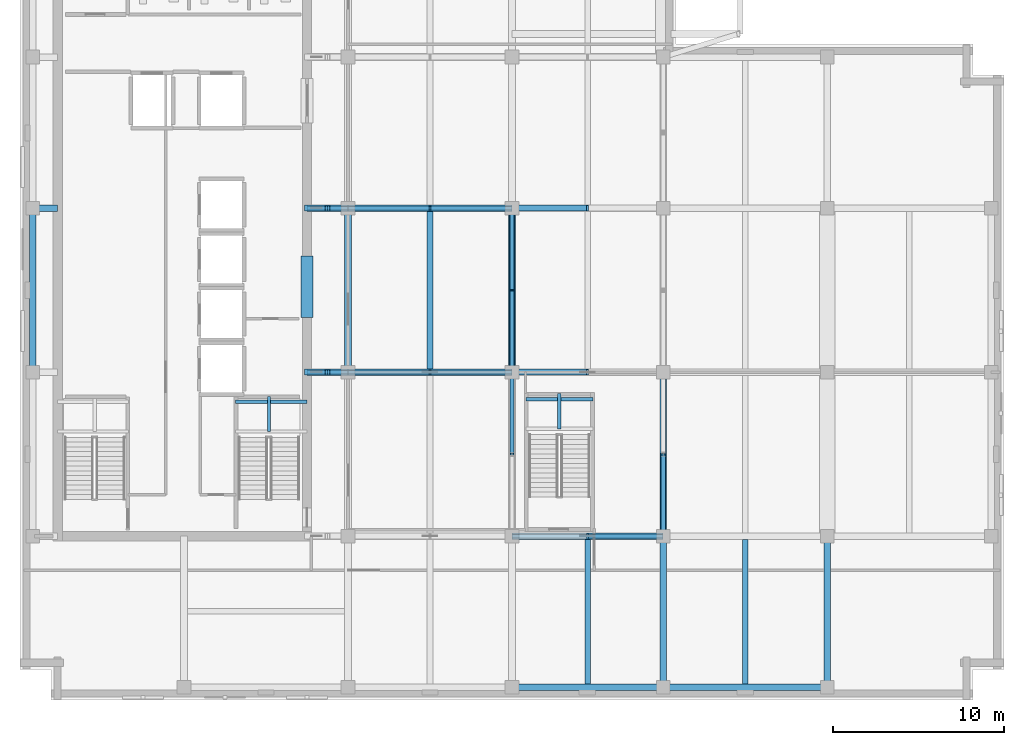
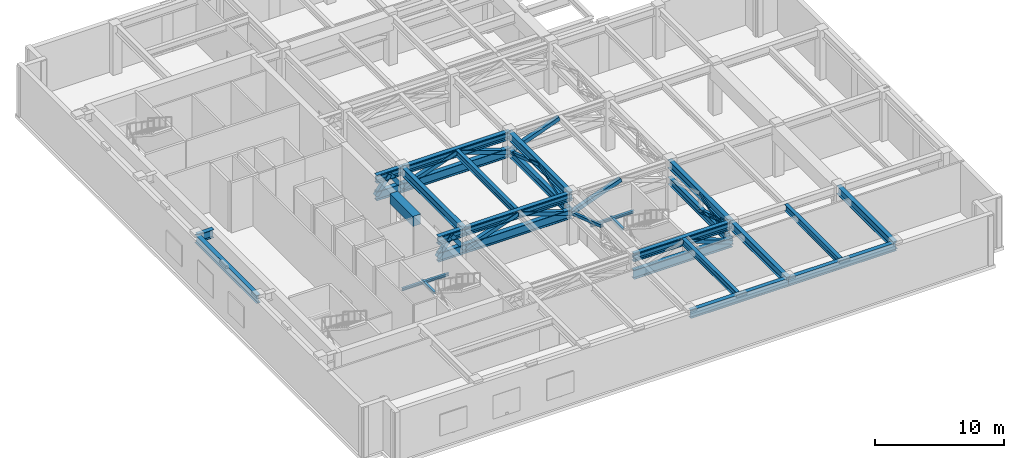
# One storey, part 3 of 19: 29 beams, 21 members.
"""IFC4 building model written with IfcOpenShell, lengths in metres."""

from ifc_helpers import new_model, si_unit, direction, frame, origin, origin_2d, place, context, subcontext, project, spatial, rectangle, hollow_rectangle, i_section, extrude, material, material_profile, profile_set, type_object, element, save


model = new_model("IFC4")

# Units and contexts
model_context = context("Model", 3, precision=1e-05, world=origin(), true_north=direction((0.0, 1.0)))
body_context = subcontext(model_context, "Body", "Model", "MODEL_VIEW")
ifc_project = project(units=[si_unit("LENGTHUNIT", "METRE"), si_unit("AREAUNIT", "SQUARE_METRE"), si_unit("VOLUMEUNIT", "CUBIC_METRE"), si_unit("PLANEANGLEUNIT", "RADIAN"), si_unit("MASSUNIT", "GRAM", prefix="KILO")], contexts=[model_context])

# Site, building, storey
site_placement = place(None, origin())
site = spatial("IfcSite", under=ifc_project, at=site_placement, CompositionType="ELEMENT")
building_placement = place(site_placement, origin())
building = spatial("IfcBuilding", under=site, at=building_placement, Name="Norrvale University Quadrangle", CompositionType="ELEMENT")
storey_placement = place(building_placement, frame((0.0, 0.0, 256.0)))
storey = spatial("IfcBuildingStorey", under=building, at=storey_placement, Name="L65", CompositionType="ELEMENT", Elevation=256.0)

# Beams
ifc_material_1 = material(Name="Steel 350W", Category="steel")
ifc_material_profile_1 = material_profile(ifc_material_1, i_section(OverallWidth=0.324951171875, OverallDepth=0.615966796875, WebThickness=0.013916015625, FlangeThickness=0.021484375, FilletRadius=0.01611328125, at=origin_2d()), Name="Steel 350W")
ifc_profile_set_1 = profile_set([ifc_material_profile_1], Name="Steel 350W")
beam_type_1 = type_object("IfcBeamType", Name="Beam Belt W610x174", PredefinedType="BEAM", material=ifc_profile_set_1)
beam_1_placement = place(storey_placement, frame((24.0, 19.390380859375, 4.431884765625), z_axis=(0.0, 1.0, 0.0), x_axis=(-1.0, 0.0, 0.0)))
element("IfcBeam", 1, at=beam_1_placement, inside=storey, type_object=beam_type_1, Name="Beam Belt W610x174 BM-L65-J059", PredefinedType="BEAM", context=body_context, shape_type="SweptSolid", body=[
    extrude(i_section(OverallWidth=0.324951171875, OverallDepth=0.615966796875, WebThickness=0.013916015625, FlangeThickness=0.021484375, FilletRadius=0.01611328125, at=origin_2d()), origin(), (0.0, 0.0, 1.0), 9.21923828125),
])
for number, where, z_axis, x_axis, name in (
    (2, (33.22509765625, 0.9404296875, 4.431884765625), (0.0, 1.0, 0.0), (-1.0, 0.0, 0.0), "Beam Belt W610x174 BM-L65-J063"),
    (3, (42.449951171875, 0.9404296875, 4.431884765625), (0.0, 1.0, 0.0), (-1.0, 0.0, 0.0), "Beam Belt W610x174 BM-L65-J067"),
):
    element("IfcBeam", number, at=place(storey_placement, frame(where, z_axis=z_axis, x_axis=x_axis)), inside=storey, type_object=beam_type_1, Name=name, PredefinedType="BEAM", context=body_context, shape_type="SweptSolid", body=[
        extrude(i_section(OverallWidth=0.324951171875, OverallDepth=0.615966796875, WebThickness=0.013916015625, FlangeThickness=0.021484375, FilletRadius=0.01611328125, at=origin_2d()), origin(), (0.0, 0.0, 1.0), 8.468994140625),
    ])
ifc_material_profile_2 = material_profile(ifc_material_1, i_section(OverallWidth=0.35498046875, OverallDepth=0.695068359375, WebThickness=0.015380859375, FlangeThickness=0.02490234375, FilletRadius=0.01806640625, at=origin_2d()), Name="Steel 350W")
ifc_profile_set_2 = profile_set([ifc_material_profile_2], Name="Steel 350W")
beam_type_2 = type_object("IfcBeamType", Name="Beam Belt W690x217", PredefinedType="BEAM", material=ifc_profile_set_2)
beam_2_placement = place(storey_placement, frame((37.64990234375, 9.60009765625, 2.75), z_axis=(0.0, 1.0, 0.0), x_axis=(-1.0, 0.0, 0.0)))
element("IfcBeam", 4, at=beam_2_placement, inside=storey, type_object=beam_type_2, Name="Belt Truss Chord L65-01", PredefinedType="BEAM", context=body_context, shape_type="SweptSolid", body=[
    extrude(i_section(OverallWidth=0.35498046875, OverallDepth=0.695068359375, WebThickness=0.015380859375, FlangeThickness=0.02490234375, FilletRadius=0.01806640625, at=origin_2d()), origin(), (0.0, 0.0, 1.0), 9.599853515625),
])
beam_3_placement = place(storey_placement, frame((28.800048828125, 19.199951171875, 2.75), z_axis=(0.0, 1.0, 0.0), x_axis=(-1.0, 0.0, 0.0)))
element("IfcBeam", 5, at=beam_3_placement, inside=storey, type_object=beam_type_2, Name="Belt Truss Chord L65-05", PredefinedType="BEAM", context=body_context, shape_type="SweptSolid", body=[
    extrude(i_section(OverallWidth=0.35498046875, OverallDepth=0.695068359375, WebThickness=0.015380859375, FlangeThickness=0.02490234375, FilletRadius=0.01806640625, at=origin_2d()), origin(), (0.0, 0.0, 1.0), 9.60009765625),
])
ifc_material_2 = material(Name="Concrete C80/95", Category="concrete")
ifc_material_profile_3 = material_profile(ifc_material_2, rectangle(XDim=0.699951171875, YDim=0.949951171875, at=origin_2d()), Name="Concrete C80/95")
ifc_profile_set_3 = profile_set([ifc_material_profile_3], Name="Concrete C80/95")
beam_type_3 = type_object("IfcBeamType", Name="Beam Core Link 700x950", PredefinedType="LINTEL", material=ifc_profile_set_3)
beam_4_placement = place(storey_placement, frame((16.800048828125, 22.39990234375, 4.264892578125), z_axis=(0.0, 1.0, 0.0), x_axis=(-1.0, 0.0, 0.0)))
element("IfcBeam", 6, at=beam_4_placement, inside=storey, type_object=beam_type_3, Name="Core Coupling Lintel Beam L65-1", PredefinedType="LINTEL", context=body_context, shape_type="SweptSolid", body=[
    extrude(rectangle(XDim=0.699951171875, YDim=0.949951171875, at=origin_2d()), origin(), (0.0, 0.0, 1.0), 3.60009765625),
])
ifc_material_profile_4 = material_profile(ifc_material_1, i_section(OverallWidth=0.381103515625, OverallDepth=0.77294921875, WebThickness=0.0166015625, FlangeThickness=0.027587890625, FilletRadius=0.02001953125, at=origin_2d()), Name="Steel 350W")
ifc_profile_set_4 = profile_set([ifc_material_profile_4], Name="Steel 350W")
beam_type_4 = type_object("IfcBeamType", Name="Beam Outrig W760x257", PredefinedType="BEAM", material=ifc_profile_set_4)
beam_5_placement = place(storey_placement, frame((28.800048828125, 0.75, 4.353515625), z_axis=(1.0, 0.0, 0.0), x_axis=(0.0, 1.0, 0.0)))
element("IfcBeam", 7, at=beam_5_placement, inside=storey, type_object=beam_type_4, Name="Beam Outrig W760x257 BM-L65-GX003", PredefinedType="BEAM", context=body_context, shape_type="SweptSolid", body=[
    extrude(i_section(OverallWidth=0.381103515625, OverallDepth=0.77294921875, WebThickness=0.0166015625, FlangeThickness=0.027587890625, FilletRadius=0.02001953125, at=origin_2d()), origin(), (0.0, 0.0, 1.0), 8.849853515625),
])
beam_6_placement = place(storey_placement, frame((37.64990234375, 0.75, 4.353515625), z_axis=(1.0, 0.0, 0.0), x_axis=(0.0, 1.0, 0.0)))
element("IfcBeam", 8, at=beam_6_placement, inside=storey, type_object=beam_type_4, Name="Beam Outrig W760x257 BM-L65-GX004", PredefinedType="BEAM", context=body_context, shape_type="SweptSolid", body=[
    extrude(i_section(OverallWidth=0.381103515625, OverallDepth=0.77294921875, WebThickness=0.0166015625, FlangeThickness=0.027587890625, FilletRadius=0.02001953125, at=origin_2d()), origin(), (0.0, 0.0, 1.0), 9.60009765625),
])
beam_7_placement = place(storey_placement, frame((28.800048828125, 9.60009765625, 4.353515625), z_axis=(1.0, 0.0, 0.0), x_axis=(0.0, 1.0, 0.0)))
element("IfcBeam", 9, at=beam_7_placement, inside=storey, type_object=beam_type_4, Name="Beam Outrig W760x257 BM-L65-GX006", PredefinedType="BEAM", context=body_context, shape_type="SweptSolid", body=[
    extrude(i_section(OverallWidth=0.381103515625, OverallDepth=0.77294921875, WebThickness=0.0166015625, FlangeThickness=0.027587890625, FilletRadius=0.02001953125, at=origin_2d()), origin(), (0.0, 0.0, 1.0), 8.849853515625),
])
for number, where, z_axis, x_axis, name in (
    (10, (19.199951171875, 19.199951171875, 4.353515625), (1.0, 0.0, 0.0), (0.0, 1.0, 0.0), "Beam Outrig W760x257 BM-L65-GX009"),
    (11, (19.199951171875, 28.800048828125, 4.353515625), (1.0, 0.0, 0.0), (0.0, 1.0, 0.0), "Beam Outrig W760x257 BM-L65-GX013"),
    (12, (0.75, 19.199951171875, 4.353515625), (0.0, 1.0, 0.0), (-1.0, 0.0, 0.0), "Beam Outrig W760x257 BM-L65-GY024"),
    (13, (19.199951171875, 19.199951171875, 4.353515625), (0.0, 1.0, 0.0), (-1.0, 0.0, 0.0), "Beam Outrig W760x257 BM-L65-GY029"),
    (14, (28.800048828125, 19.199951171875, 4.353515625), (0.0, 1.0, 0.0), (-1.0, 0.0, 0.0), "Beam Outrig W760x257 BM-L65-GY035"),
):
    element("IfcBeam", number, at=place(storey_placement, frame(where, z_axis=z_axis, x_axis=x_axis)), inside=storey, type_object=beam_type_4, Name=name, PredefinedType="BEAM", context=body_context, shape_type="SweptSolid", body=[
        extrude(i_section(OverallWidth=0.381103515625, OverallDepth=0.77294921875, WebThickness=0.0166015625, FlangeThickness=0.027587890625, FilletRadius=0.02001953125, at=origin_2d()), origin(), (0.0, 0.0, 1.0), 9.60009765625),
    ])
beam_8_placement = place(storey_placement, frame((37.64990234375, 0.75, 4.353515625), z_axis=(0.0, 1.0, 0.0), x_axis=(-1.0, 0.0, 0.0)))
element("IfcBeam", 15, at=beam_8_placement, inside=storey, type_object=beam_type_4, Name="Beam Outrig W760x257 BM-L65-GY039", PredefinedType="BEAM", context=body_context, shape_type="SweptSolid", body=[
    extrude(i_section(OverallWidth=0.381103515625, OverallDepth=0.77294921875, WebThickness=0.0166015625, FlangeThickness=0.027587890625, FilletRadius=0.02001953125, at=origin_2d()), origin(), (0.0, 0.0, 1.0), 8.85009765625),
])
beam_9_placement = place(storey_placement, frame((37.64990234375, 9.60009765625, 4.353515625), z_axis=(0.0, 1.0, 0.0), x_axis=(-1.0, 0.0, 0.0)))
element("IfcBeam", 16, at=beam_9_placement, inside=storey, type_object=beam_type_4, Name="Beam Outrig W760x257 BM-L65-GY040", PredefinedType="BEAM", context=body_context, shape_type="SweptSolid", body=[
    extrude(i_section(OverallWidth=0.381103515625, OverallDepth=0.77294921875, WebThickness=0.0166015625, FlangeThickness=0.027587890625, FilletRadius=0.02001953125, at=origin_2d()), origin(), (0.0, 0.0, 1.0), 9.599853515625),
])
beam_10_placement = place(storey_placement, frame((47.25, 0.75, 4.353515625), z_axis=(0.0, 1.0, 0.0), x_axis=(-1.0, 0.0, 0.0)))
element("IfcBeam", 17, at=beam_10_placement, inside=storey, type_object=beam_type_4, Name="Beam Outrig W760x257 BM-L65-GY043", PredefinedType="BEAM", context=body_context, shape_type="SweptSolid", body=[
    extrude(i_section(OverallWidth=0.381103515625, OverallDepth=0.77294921875, WebThickness=0.0166015625, FlangeThickness=0.027587890625, FilletRadius=0.02001953125, at=origin_2d()), origin(), (0.0, 0.0, 1.0), 8.85009765625),
])
beam_11_placement = place(storey_placement, frame((16.800048828125, 19.199951171875, 4.353515625), z_axis=(1.0, 0.0, 0.0), x_axis=(0.0, 1.0, 0.0)))
element("IfcBeam", 18, at=beam_11_placement, inside=storey, type_object=beam_type_4, Name="Beam Outrig W760x257 BM-L65-GCE050", PredefinedType="BEAM", context=body_context, shape_type="SweptSolid", body=[
    extrude(i_section(OverallWidth=0.381103515625, OverallDepth=0.77294921875, WebThickness=0.0166015625, FlangeThickness=0.027587890625, FilletRadius=0.02001953125, at=origin_2d()), origin(), (0.0, 0.0, 1.0), 2.39990234375),
])
beam_12_placement = place(storey_placement, frame((0.75, 28.800048828125, 4.353515625), z_axis=(1.0, 0.0, 0.0), x_axis=(0.0, 1.0, 0.0)))
element("IfcBeam", 19, at=beam_12_placement, inside=storey, type_object=beam_type_4, Name="Beam Outrig W760x257 BM-L65-GCW051", PredefinedType="BEAM", context=body_context, shape_type="SweptSolid", body=[
    extrude(i_section(OverallWidth=0.381103515625, OverallDepth=0.77294921875, WebThickness=0.0166015625, FlangeThickness=0.027587890625, FilletRadius=0.02001953125, at=origin_2d()), origin(), (0.0, 0.0, 1.0), 1.449951171875),
])
beam_13_placement = place(storey_placement, frame((16.800048828125, 28.800048828125, 4.353515625), z_axis=(1.0, 0.0, 0.0), x_axis=(0.0, 1.0, 0.0)))
element("IfcBeam", 20, at=beam_13_placement, inside=storey, type_object=beam_type_4, Name="Beam Outrig W760x257 BM-L65-GCE052", PredefinedType="BEAM", context=body_context, shape_type="SweptSolid", body=[
    extrude(i_section(OverallWidth=0.381103515625, OverallDepth=0.77294921875, WebThickness=0.0166015625, FlangeThickness=0.027587890625, FilletRadius=0.02001953125, at=origin_2d()), origin(), (0.0, 0.0, 1.0), 2.39990234375),
])
ifc_material_profile_5 = material_profile(ifc_material_1, i_section(OverallWidth=0.39990234375, OverallDepth=0.85498046875, WebThickness=0.018310546875, FlangeThickness=0.029296875, FilletRadius=0.02197265625, at=origin_2d()), Name="Steel 350W")
ifc_profile_set_5 = profile_set([ifc_material_profile_5], Name="Steel 350W")
beam_type_5 = type_object("IfcBeamType", Name="Beam Outrig W840x299", PredefinedType="BEAM", material=ifc_profile_set_5)
beam_14_placement = place(storey_placement, frame((28.800048828125, 9.60009765625, 2.75), z_axis=(1.0, 0.0, 0.0), x_axis=(0.0, 1.0, 0.0)))
element("IfcBeam", 21, at=beam_14_placement, inside=storey, type_object=beam_type_5, Name="Outrigger Bottom Chord L65-1.3", PredefinedType="BEAM", context=body_context, shape_type="SweptSolid", body=[
    extrude(i_section(OverallWidth=0.39990234375, OverallDepth=0.85498046875, WebThickness=0.018310546875, FlangeThickness=0.029296875, FilletRadius=0.02197265625, at=origin_2d()), origin(), (0.0, 0.0, 1.0), 8.849853515625),
])
beam_15_placement = place(storey_placement, frame((16.800048828125, 19.199951171875, 2.75), z_axis=(1.0, 0.0, 0.0), x_axis=(0.0, 1.0, 0.0)))
element("IfcBeam", 22, at=beam_15_placement, inside=storey, type_object=beam_type_5, Name="Outrigger Bottom Chord L65-2.1", PredefinedType="BEAM", context=body_context, shape_type="SweptSolid", body=[
    extrude(i_section(OverallWidth=0.39990234375, OverallDepth=0.85498046875, WebThickness=0.018310546875, FlangeThickness=0.029296875, FilletRadius=0.02197265625, at=origin_2d()), origin(), (0.0, 0.0, 1.0), 2.39990234375),
])
beam_16_placement = place(storey_placement, frame((19.199951171875, 19.199951171875, 2.75), z_axis=(1.0, 0.0, 0.0), x_axis=(0.0, 1.0, 0.0)))
element("IfcBeam", 23, at=beam_16_placement, inside=storey, type_object=beam_type_5, Name="Outrigger Bottom Chord L65-2.2", PredefinedType="BEAM", context=body_context, shape_type="SweptSolid", body=[
    extrude(i_section(OverallWidth=0.39990234375, OverallDepth=0.85498046875, WebThickness=0.018310546875, FlangeThickness=0.029296875, FilletRadius=0.02197265625, at=origin_2d()), origin(), (0.0, 0.0, 1.0), 9.60009765625),
])
beam_17_placement = place(storey_placement, frame((16.800048828125, 28.800048828125, 2.75), z_axis=(1.0, 0.0, 0.0), x_axis=(0.0, 1.0, 0.0)))
element("IfcBeam", 24, at=beam_17_placement, inside=storey, type_object=beam_type_5, Name="Outrigger Bottom Chord L65-3.1", PredefinedType="BEAM", context=body_context, shape_type="SweptSolid", body=[
    extrude(i_section(OverallWidth=0.39990234375, OverallDepth=0.85498046875, WebThickness=0.018310546875, FlangeThickness=0.029296875, FilletRadius=0.02197265625, at=origin_2d()), origin(), (0.0, 0.0, 1.0), 2.39990234375),
])
beam_18_placement = place(storey_placement, frame((19.199951171875, 28.800048828125, 2.75), z_axis=(1.0, 0.0, 0.0), x_axis=(0.0, 1.0, 0.0)))
element("IfcBeam", 25, at=beam_18_placement, inside=storey, type_object=beam_type_5, Name="Outrigger Bottom Chord L65-3.2", PredefinedType="BEAM", context=body_context, shape_type="SweptSolid", body=[
    extrude(i_section(OverallWidth=0.39990234375, OverallDepth=0.85498046875, WebThickness=0.018310546875, FlangeThickness=0.029296875, FilletRadius=0.02197265625, at=origin_2d()), origin(), (0.0, 0.0, 1.0), 9.60009765625),
])
ifc_material_profile_6 = material_profile(ifc_material_1, i_section(OverallWidth=0.201904296875, OverallDepth=0.2470703125, WebThickness=0.00732421875, FlangeThickness=0.010986328125, FilletRadius=0.011962890625, at=origin_2d()), Name="Steel 350W")
ifc_profile_set_6 = profile_set([ifc_material_profile_6], Name="Steel 350W")
beam_type_6 = type_object("IfcBeamType", Name="Beam Stair W250x49", PredefinedType="BEAM", material=ifc_profile_set_6)
beam_19_placement = place(storey_placement, frame((12.610107421875, 17.469970703125, 2.176513671875), z_axis=(1.0, 0.0, 0.0), x_axis=(0.0, 1.0, 0.0)))
element("IfcBeam", 26, at=beam_19_placement, inside=storey, type_object=beam_type_6, Name="Stair Mid-Landing Rear Beam ST-03 L65", PredefinedType="BEAM", context=body_context, shape_type="SweptSolid", body=[
    extrude(i_section(OverallWidth=0.201904296875, OverallDepth=0.2470703125, WebThickness=0.00732421875, FlangeThickness=0.010986328125, FilletRadius=0.011962890625, at=origin_2d()), origin(), (0.0, 0.0, 1.0), 4.18994140625),
])
beam_20_placement = place(storey_placement, frame((29.610107421875, 17.6201171875, 2.176513671875), z_axis=(1.0, 0.0, 0.0), x_axis=(0.0, 1.0, 0.0)))
element("IfcBeam", 27, at=beam_20_placement, inside=storey, type_object=beam_type_6, Name="Stair Mid-Landing Rear Beam ST-04 L65", PredefinedType="BEAM", context=body_context, shape_type="SweptSolid", body=[
    extrude(i_section(OverallWidth=0.201904296875, OverallDepth=0.2470703125, WebThickness=0.00732421875, FlangeThickness=0.010986328125, FilletRadius=0.011962890625, at=origin_2d()), origin(), (0.0, 0.0, 1.0), 3.929931640625),
])
ifc_material_profile_7 = material_profile(ifc_material_1, i_section(OverallWidth=0.202880859375, OverallDepth=0.202880859375, WebThickness=0.007080078125, FlangeThickness=0.010986328125, FilletRadius=0.010009765625, at=origin_2d()), Name="Steel 350W")
ifc_profile_set_7 = profile_set([ifc_material_profile_7], Name="Steel 350W")
beam_type_7 = type_object("IfcBeamType", Name="Beam Trim W200x46", PredefinedType="BEAM", material=ifc_profile_set_7)
for number, where, z_axis, x_axis, name in (
    (28, (14.574951171875, 15.72998046875, 2.198486328125), (0.0, 1.0, 0.0), (-1.0, 0.0, 0.0), "Stair Mid-Landing Cross Beam ST-03 L65"),
    (29, (31.574951171875, 15.8798828125, 2.198486328125), (0.0, 1.0, 0.0), (-1.0, 0.0, 0.0), "Stair Mid-Landing Cross Beam ST-04 L65"),
):
    element("IfcBeam", number, at=place(storey_placement, frame(where, z_axis=z_axis, x_axis=x_axis)), inside=storey, type_object=beam_type_7, Name=name, PredefinedType="BEAM", context=body_context, shape_type="SweptSolid", body=[
        extrude(i_section(OverallWidth=0.202880859375, OverallDepth=0.202880859375, WebThickness=0.007080078125, FlangeThickness=0.010986328125, FilletRadius=0.010009765625, at=origin_2d()), origin(), (0.0, 0.0, 1.0), 2.06005859375),
    ])

# Members
ifc_material_profile_8 = material_profile(ifc_material_1, hollow_rectangle(XDim=0.25390625, YDim=0.25390625, WallThickness=0.012939453125, at=origin_2d()), Name="Steel 350W")
ifc_profile_set_8 = profile_set([ifc_material_profile_8], Name="Steel 350W")
member_type_1 = type_object("IfcMemberType", Name="Member Belt Diag HSS254", PredefinedType="BRACE", material=ifc_profile_set_8)
member_1_placement = place(storey_placement, frame((37.64990234375, 9.60009765625, 2.75), z_axis=(0.0, 0.94629347716, 0.323308915874), x_axis=(-1.0, 0.0, 0.0)))
element("IfcMember", 30, at=member_1_placement, inside=storey, type_object=member_type_1, Name="Belt Truss Brace L65-01A", PredefinedType="BRACE", context=body_context, shape_type="SweptSolid", body=[
    extrude(hollow_rectangle(XDim=0.25390625, YDim=0.25390625, WallThickness=0.012939453125, at=origin_2d()), origin(), (0.0, 0.0, 1.0), 5.072265625),
])
for number, where, z_axis, x_axis, name in (
    (31, (28.800048828125, 19.199951171875, 2.75), (0.0, -0.946298508087, 0.32329419047), (1.0, 0.0, 0.0), "Belt Truss Brace L65-04B"),
    (32, (28.800048828125, 19.199951171875, 2.75), (0.0, 0.946298508087, 0.32329419047), (-1.0, 0.0, 0.0), "Belt Truss Brace L65-05A"),
    (33, (28.800048828125, 28.800048828125, 2.75), (0.0, -0.946298508087, 0.32329419047), (1.0, 0.0, 0.0), "Belt Truss Brace L65-05B"),
):
    element("IfcMember", number, at=place(storey_placement, frame(where, z_axis=z_axis, x_axis=x_axis)), inside=storey, type_object=member_type_1, Name=name, PredefinedType="BRACE", context=body_context, shape_type="SweptSolid", body=[
        extrude(hollow_rectangle(XDim=0.25390625, YDim=0.25390625, WallThickness=0.012939453125, at=origin_2d()), origin(), (0.0, 0.0, 1.0), 5.072509765625),
    ])
ifc_material_profile_9 = material_profile(ifc_material_1, hollow_rectangle(XDim=0.202880859375, YDim=0.304931640625, WallThickness=0.012939453125, at=origin_2d()), Name="Steel 350W")
ifc_profile_set_9 = profile_set([ifc_material_profile_9], Name="Steel 350W")
member_type_2 = type_object("IfcMemberType", Name="Member Chord HSS305x203", PredefinedType="CHORD", material=ifc_profile_set_9)
member_2_placement = place(storey_placement, frame((28.800048828125, 9.60009765625, 4.389892578125), z_axis=(1.0, 0.0, 0.0), x_axis=(0.0, 1.0, 0.0)))
element("IfcMember", 34, at=member_2_placement, inside=storey, type_object=member_type_2, Name="Outrigger Top Chord L65-1.3", PredefinedType="CHORD", context=body_context, shape_type="SweptSolid", body=[
    extrude(hollow_rectangle(XDim=0.202880859375, YDim=0.304931640625, WallThickness=0.012939453125, at=origin_2d()), origin(), (0.0, 0.0, 1.0), 8.849853515625),
])
member_3_placement = place(storey_placement, frame((16.800048828125, 19.199951171875, 4.389892578125), z_axis=(1.0, 0.0, 0.0), x_axis=(0.0, 1.0, 0.0)))
element("IfcMember", 35, at=member_3_placement, inside=storey, type_object=member_type_2, Name="Outrigger Top Chord L65-2.1", PredefinedType="CHORD", context=body_context, shape_type="SweptSolid", body=[
    extrude(hollow_rectangle(XDim=0.202880859375, YDim=0.304931640625, WallThickness=0.012939453125, at=origin_2d()), origin(), (0.0, 0.0, 1.0), 2.39990234375),
])
member_4_placement = place(storey_placement, frame((19.199951171875, 19.199951171875, 4.389892578125), z_axis=(1.0, 0.0, 0.0), x_axis=(0.0, 1.0, 0.0)))
element("IfcMember", 36, at=member_4_placement, inside=storey, type_object=member_type_2, Name="Outrigger Top Chord L65-2.2", PredefinedType="CHORD", context=body_context, shape_type="SweptSolid", body=[
    extrude(hollow_rectangle(XDim=0.202880859375, YDim=0.304931640625, WallThickness=0.012939453125, at=origin_2d()), origin(), (0.0, 0.0, 1.0), 9.60009765625),
])
member_5_placement = place(storey_placement, frame((16.800048828125, 28.800048828125, 4.389892578125), z_axis=(1.0, 0.0, 0.0), x_axis=(0.0, 1.0, 0.0)))
element("IfcMember", 37, at=member_5_placement, inside=storey, type_object=member_type_2, Name="Outrigger Top Chord L65-3.1", PredefinedType="CHORD", context=body_context, shape_type="SweptSolid", body=[
    extrude(hollow_rectangle(XDim=0.202880859375, YDim=0.304931640625, WallThickness=0.012939453125, at=origin_2d()), origin(), (0.0, 0.0, 1.0), 2.39990234375),
])
member_6_placement = place(storey_placement, frame((19.199951171875, 28.800048828125, 4.389892578125), z_axis=(1.0, 0.0, 0.0), x_axis=(0.0, 1.0, 0.0)))
element("IfcMember", 38, at=member_6_placement, inside=storey, type_object=member_type_2, Name="Outrigger Top Chord L65-3.2", PredefinedType="CHORD", context=body_context, shape_type="SweptSolid", body=[
    extrude(hollow_rectangle(XDim=0.202880859375, YDim=0.304931640625, WallThickness=0.012939453125, at=origin_2d()), origin(), (0.0, 0.0, 1.0), 9.60009765625),
])
ifc_material_profile_10 = material_profile(ifc_material_1, hollow_rectangle(XDim=0.35595703125, YDim=0.35595703125, WallThickness=0.01611328125, at=origin_2d()), Name="Steel 350W")
ifc_profile_set_10 = profile_set([ifc_material_profile_10], Name="Steel 350W")
member_type_3 = type_object("IfcMemberType", Name="Member Outrig Diag HSS356", PredefinedType="BRACE", material=ifc_profile_set_10)
member_7_placement = place(storey_placement, frame((37.64990234375, 9.60009765625, 2.75), z_axis=(-0.937674473211, 0.0, 0.347514866285), x_axis=(0.0, -1.0, 0.0)))
element("IfcMember", 39, at=member_7_placement, inside=storey, type_object=member_type_3, Name="Outrigger Truss Diagonal L65-1.3B", PredefinedType="BRACE", context=body_context, shape_type="SweptSolid", body=[
    extrude(hollow_rectangle(XDim=0.35595703125, YDim=0.35595703125, WallThickness=0.01611328125, at=origin_2d()), origin(), (0.0, 0.0, 1.0), 4.718994140625),
])
for number, where, z_axis, x_axis, name in (
    (40, (16.800048828125, 19.199951171875, 2.75), (0.59051953716, 0.0, 0.807023343053), (0.0, 1.0, 0.0), "Outrigger Truss Diagonal L65-2.1A"),
    (41, (19.199951171875, 19.199951171875, 2.75), (-0.59051953716, 0.0, 0.807023343053), (0.0, -1.0, 0.0), "Outrigger Truss Diagonal L65-2.1B"),
):
    element("IfcMember", number, at=place(storey_placement, frame(where, z_axis=z_axis, x_axis=x_axis)), inside=storey, type_object=member_type_3, Name=name, PredefinedType="BRACE", context=body_context, shape_type="SweptSolid", body=[
        extrude(hollow_rectangle(XDim=0.35595703125, YDim=0.35595703125, WallThickness=0.01611328125, at=origin_2d()), origin(), (0.0, 0.0, 1.0), 2.031982421875),
    ])
for number, where, z_axis, x_axis, name in (
    (42, (19.199951171875, 19.199951171875, 2.75), (0.946298508087, 0.0, 0.32329419047), (0.0, 1.0, 0.0), "Outrigger Truss Diagonal L65-2.2A"),
    (43, (28.800048828125, 19.199951171875, 2.75), (-0.946298508087, 0.0, 0.32329419047), (0.0, -1.0, 0.0), "Outrigger Truss Diagonal L65-2.2B"),
):
    element("IfcMember", number, at=place(storey_placement, frame(where, z_axis=z_axis, x_axis=x_axis)), inside=storey, type_object=member_type_3, Name=name, PredefinedType="BRACE", context=body_context, shape_type="SweptSolid", body=[
        extrude(hollow_rectangle(XDim=0.35595703125, YDim=0.35595703125, WallThickness=0.01611328125, at=origin_2d()), origin(), (0.0, 0.0, 1.0), 5.072509765625),
    ])
member_8_placement = place(storey_placement, frame((28.800048828125, 19.199951171875, 2.75), z_axis=(0.937680720811, 0.0, 0.347498008369), x_axis=(0.0, 1.0, 0.0)))
element("IfcMember", 44, at=member_8_placement, inside=storey, type_object=member_type_3, Name="Outrigger Truss Diagonal L65-2.3A", PredefinedType="BRACE", context=body_context, shape_type="SweptSolid", body=[
    extrude(hollow_rectangle(XDim=0.35595703125, YDim=0.35595703125, WallThickness=0.01611328125, at=origin_2d()), origin(), (0.0, 0.0, 1.0), 4.71923828125),
])
for number, where, z_axis, x_axis, name in (
    (45, (16.800048828125, 28.800048828125, 2.75), (0.59051953716, 0.0, 0.807023343053), (0.0, 1.0, 0.0), "Outrigger Truss Diagonal L65-3.1A"),
    (46, (19.199951171875, 28.800048828125, 2.75), (-0.59051953716, 0.0, 0.807023343053), (0.0, -1.0, 0.0), "Outrigger Truss Diagonal L65-3.1B"),
):
    element("IfcMember", number, at=place(storey_placement, frame(where, z_axis=z_axis, x_axis=x_axis)), inside=storey, type_object=member_type_3, Name=name, PredefinedType="BRACE", context=body_context, shape_type="SweptSolid", body=[
        extrude(hollow_rectangle(XDim=0.35595703125, YDim=0.35595703125, WallThickness=0.01611328125, at=origin_2d()), origin(), (0.0, 0.0, 1.0), 2.031982421875),
    ])
for number, where, z_axis, x_axis, name in (
    (47, (19.199951171875, 28.800048828125, 2.75), (0.946298508087, 0.0, 0.32329419047), (0.0, 1.0, 0.0), "Outrigger Truss Diagonal L65-3.2A"),
    (48, (28.800048828125, 28.800048828125, 2.75), (-0.946298508087, 0.0, 0.32329419047), (0.0, -1.0, 0.0), "Outrigger Truss Diagonal L65-3.2B"),
):
    element("IfcMember", number, at=place(storey_placement, frame(where, z_axis=z_axis, x_axis=x_axis)), inside=storey, type_object=member_type_3, Name=name, PredefinedType="BRACE", context=body_context, shape_type="SweptSolid", body=[
        extrude(hollow_rectangle(XDim=0.35595703125, YDim=0.35595703125, WallThickness=0.01611328125, at=origin_2d()), origin(), (0.0, 0.0, 1.0), 5.072509765625),
    ])
member_9_placement = place(storey_placement, frame((28.800048828125, 28.800048828125, 2.75), z_axis=(0.937680720811, 0.0, 0.347498008369), x_axis=(0.0, 1.0, 0.0)))
element("IfcMember", 49, at=member_9_placement, inside=storey, type_object=member_type_3, Name="Outrigger Truss Diagonal L65-3.3A", PredefinedType="BRACE", context=body_context, shape_type="SweptSolid", body=[
    extrude(hollow_rectangle(XDim=0.35595703125, YDim=0.35595703125, WallThickness=0.01611328125, at=origin_2d()), origin(), (0.0, 0.0, 1.0), 4.71923828125),
])
ifc_material_profile_11 = material_profile(ifc_material_1, i_section(OverallWidth=0.30908203125, OverallDepth=0.322998046875, WebThickness=0.01318359375, FlangeThickness=0.02294921875, FilletRadius=0.014892578125, at=origin_2d()), Name="Steel 350W")
ifc_profile_set_11 = profile_set([ifc_material_profile_11], Name="Steel 350W")
member_type_4 = type_object("IfcMemberType", Name="Member Tie W310x143", PredefinedType="BRACE", material=ifc_profile_set_11)
member_10_placement = place(storey_placement, frame((37.64990234375, 9.60009765625, 4.389892578125), z_axis=(0.0, 0.94629347716, -0.323308915874), x_axis=(-1.0, 0.0, 0.0)))
element("IfcMember", 50, at=member_10_placement, inside=storey, type_object=member_type_4, Name="Belt Truss Tie Brace L65-01", PredefinedType="BRACE", context=body_context, shape_type="SweptSolid", body=[
    extrude(i_section(OverallWidth=0.30908203125, OverallDepth=0.322998046875, WebThickness=0.01318359375, FlangeThickness=0.02294921875, FilletRadius=0.014892578125, at=origin_2d()), origin(), (0.0, 0.0, 1.0), 5.072265625),
])

save(model, "model.ifc")
